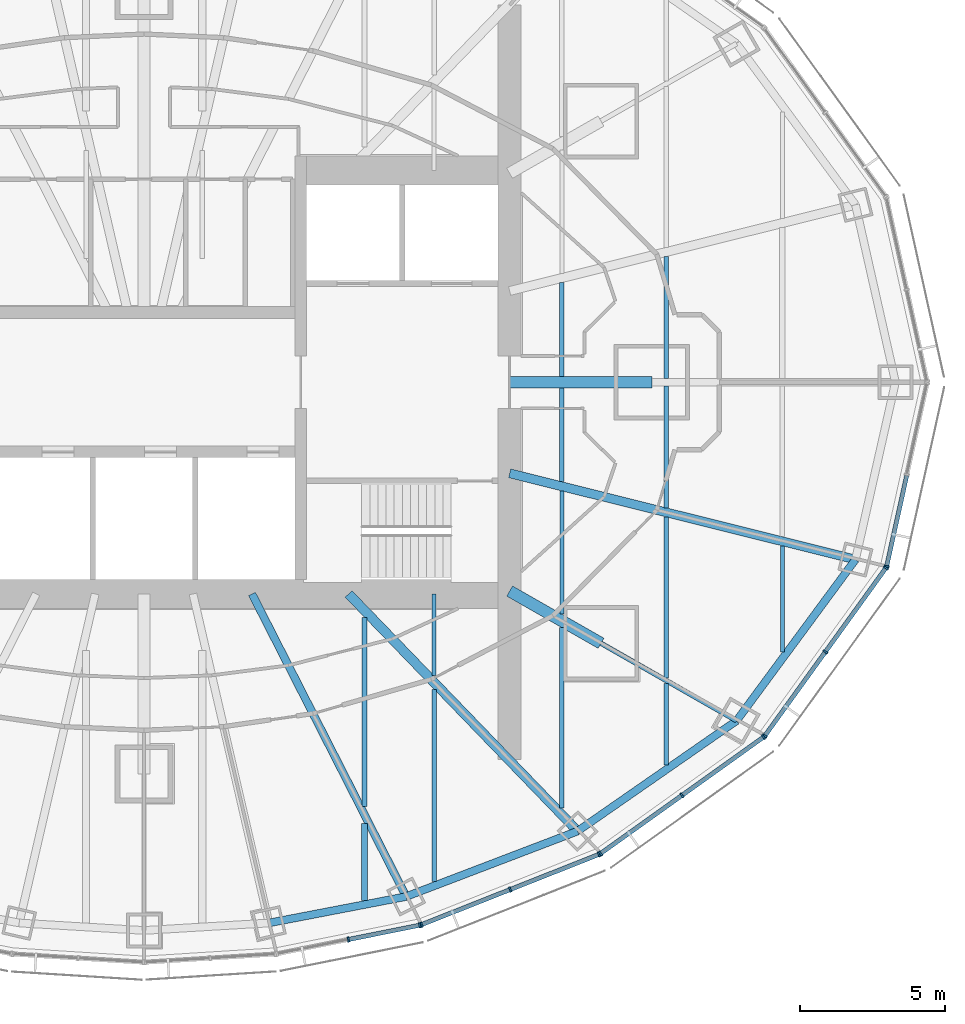
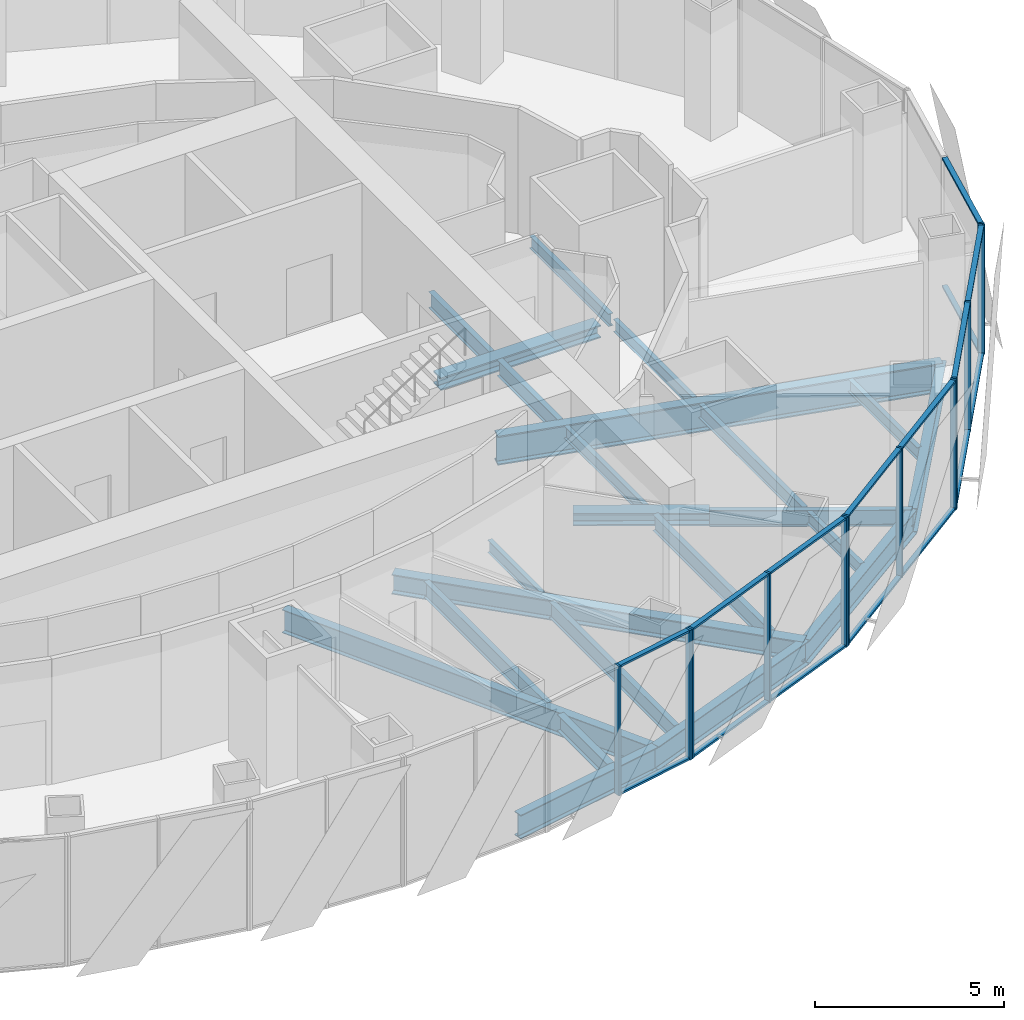
# One storey, part 6 of 17: 28 members, 23 beams, 5 elements without a shape of their own.
"""IFC4 building model written with IfcOpenShell, lengths in metres."""

from ifc_helpers import new_model, si_unit, direction, frame, origin, origin_2d, place, context, subcontext, project, spatial, rectangle, i_section, extrude, material, material_profile, profile_set, type_object, element, aggregate, save


model = new_model("IFC4")

# Units and contexts
model_context = context("Model", 3, precision=1e-05, world=origin(), true_north=direction((0.0, 1.0)))
body_context = subcontext(model_context, "Body", "Model", "MODEL_VIEW")
ifc_project = project(units=[si_unit("LENGTHUNIT", "METRE"), si_unit("AREAUNIT", "SQUARE_METRE"), si_unit("VOLUMEUNIT", "CUBIC_METRE"), si_unit("PLANEANGLEUNIT", "RADIAN"), si_unit("MASSUNIT", "GRAM", prefix="KILO")], contexts=[model_context])

# Site, building, storey
site_placement = place(None, origin())
site = spatial("IfcSite", under=ifc_project, at=site_placement, CompositionType="ELEMENT")
building_placement = place(site_placement, origin())
building = spatial("IfcBuilding", under=site, at=building_placement, Name="Lantaw Convention Tower", CompositionType="ELEMENT")
storey_placement = place(building_placement, frame((0.0, 0.0, 220.0)))
storey = spatial("IfcBuildingStorey", under=building, at=storey_placement, Name="L51", CompositionType="ELEMENT", Elevation=220.0)

# Beams
ifc_material_1 = material(Name="Steel ASTM A992", Category="steel")
ifc_material_profile_1 = material_profile(ifc_material_1, i_section(OverallWidth=0.2666015625, OverallDepth=0.76953125, WebThickness=0.015625, FlangeThickness=0.025390625, FilletRadius=0.0126953125, at=origin_2d()), Name="W30X132")
ifc_profile_set_1 = profile_set([ifc_material_profile_1], Name="Steel ASTM A992")
beam_type_1 = type_object("IfcBeamType", Name="Beam E W30X132", PredefinedType="SPANDREL", material=ifc_profile_set_1)
beam_1_placement = place(storey_placement, frame((4.303955078125, -18.64208984375, -0.534912109375), z_axis=(0.981972091702, 0.189025953556, 0.0), x_axis=(-0.189025953556, 0.981972091702, 0.0)))
element("IfcBeam", 1, at=beam_1_placement, inside=storey, type_object=beam_type_1, Name="Edge beam 20", PredefinedType="SPANDREL", context=body_context, shape_type="SweptSolid", body=[
    extrude(i_section(OverallWidth=0.2666015625, OverallDepth=0.76953125, WebThickness=0.015625, FlangeThickness=0.025390625, FilletRadius=0.0126953125, at=origin_2d()), origin(), (0.0, 0.0, 1.0), 4.817626953125),
])
beam_2_placement = place(storey_placement, frame((9.03466796875, -17.7314453125, -0.534912109375), z_axis=(0.934234988, 0.356658081637, 0.0), x_axis=(-0.356658081637, 0.934234988, 0.0)))
element("IfcBeam", 2, at=beam_2_placement, inside=storey, type_object=beam_type_1, Name="Edge beam 21", PredefinedType="SPANDREL", context=body_context, shape_type="SweptSolid", body=[
    extrude(i_section(OverallWidth=0.2666015625, OverallDepth=0.76953125, WebThickness=0.015625, FlangeThickness=0.025390625, FilletRadius=0.0126953125, at=origin_2d()), origin(), (0.0, 0.0, 1.0), 6.32568359375),
])
beam_3_placement = place(storey_placement, frame((14.9443359375, -15.475341796875, -0.534912109375), z_axis=(0.82135329406, 0.570419815869, 0.0), x_axis=(-0.570419815869, 0.82135329406, 0.0)))
element("IfcBeam", 3, at=beam_3_placement, inside=storey, type_object=beam_type_1, Name="Edge beam 22", PredefinedType="SPANDREL", context=body_context, shape_type="SweptSolid", body=[
    extrude(i_section(OverallWidth=0.2666015625, OverallDepth=0.76953125, WebThickness=0.015625, FlangeThickness=0.025390625, FilletRadius=0.0126953125, at=origin_2d()), origin(), (0.0, 0.0, 1.0), 6.67041015625),
])
beam_4_placement = place(storey_placement, frame((20.423095703125, -11.67041015625, -0.534912109375), z_axis=(0.593639188853, 0.804731329984, 0.0), x_axis=(-0.804731329984, 0.593639188853, 0.0)))
element("IfcBeam", 4, at=beam_4_placement, inside=storey, type_object=beam_type_1, Name="Edge beam 23", PredefinedType="SPANDREL", context=body_context, shape_type="SweptSolid", body=[
    extrude(i_section(OverallWidth=0.2666015625, OverallDepth=0.76953125, WebThickness=0.015625, FlangeThickness=0.025390625, FilletRadius=0.0126953125, at=origin_2d()), origin(), (0.0, 0.0, 1.0), 6.904541015625),
])
ifc_material_profile_2 = material_profile(ifc_material_1, i_section(OverallWidth=0.165771484375, OverallDepth=0.5283203125, WebThickness=0.009765625, FlangeThickness=0.013671875, FilletRadius=0.012939453125, at=origin_2d()), Name="W21X50")
ifc_profile_set_2 = profile_set([ifc_material_profile_2], Name="Steel ASTM A992")
beam_type_2 = type_object("IfcBeamType", Name="Beam G W21X50", PredefinedType="BEAM", material=ifc_profile_set_2)
beam_5_placement = place(storey_placement, frame((15.75, -9.0, -0.4140625), z_axis=(0.868237559289, -0.496148708192, 0.0), x_axis=(0.496148708192, 0.868237559289, 0.0)))
element("IfcBeam", 5, at=beam_5_placement, inside=storey, type_object=beam_type_2, Name="Floor girder on ray 23", PredefinedType="BEAM", context=body_context, shape_type="SweptSolid", body=[
    extrude(i_section(OverallWidth=0.165771484375, OverallDepth=0.5283203125, WebThickness=0.009765625, FlangeThickness=0.013671875, FilletRadius=0.012939453125, at=origin_2d()), origin(), (0.0, 0.0, 1.0), 5.38232421875),
])
ifc_material_profile_3 = material_profile(ifc_material_1, i_section(OverallWidth=0.32763671875, OverallDepth=0.64013671875, WebThickness=0.01904296875, FlangeThickness=0.033935546875, FilletRadius=0.0126953125, at=origin_2d()), Name="W24X176")
ifc_profile_set_3 = profile_set([ifc_material_profile_3], Name="Steel ASTM A992")
beam_type_3 = type_object("IfcBeamType", Name="Beam G W24X176", PredefinedType="BEAM", material=ifc_profile_set_3)
beam_6_placement = place(storey_placement, frame((7.049560546875, -7.300048828125, -0.469970703125), z_axis=(0.694657766726, -0.719340383356, 0.0), x_axis=(0.719340383356, 0.694657766726, 0.0)))
element("IfcBeam", 6, at=beam_6_placement, inside=storey, type_object=beam_type_3, Name="Floor girder on ray 22", PredefinedType="BEAM", context=body_context, shape_type="SweptSolid", body=[
    extrude(i_section(OverallWidth=0.32763671875, OverallDepth=0.64013671875, WebThickness=0.01904296875, FlangeThickness=0.033935546875, FilletRadius=0.0126953125, at=origin_2d()), origin(), (0.0, 0.0, 1.0), 11.364990234375),
])
ifc_material_profile_4 = material_profile(ifc_material_1, i_section(OverallWidth=0.2666015625, OverallDepth=0.7568359375, WebThickness=0.013916015625, FlangeThickness=0.019287109375, FilletRadius=0.0126953125, at=origin_2d()), Name="W30X108")
ifc_profile_set_4 = profile_set([ifc_material_profile_4], Name="Steel ASTM A992")
beam_type_4 = type_object("IfcBeamType", Name="Beam G W30X108", PredefinedType="BEAM", material=ifc_profile_set_4)
beam_7_placement = place(storey_placement, frame((3.719482421875, -7.300048828125, -0.528564453125), z_axis=(0.4539988787, -0.891002254845, 0.0), x_axis=(0.891002254845, 0.4539988787, 0.0)))
element("IfcBeam", 7, at=beam_7_placement, inside=storey, type_object=beam_type_4, Name="Floor girder on ray 21", PredefinedType="BEAM", context=body_context, shape_type="SweptSolid", body=[
    extrude(i_section(OverallWidth=0.2666015625, OverallDepth=0.7568359375, WebThickness=0.013916015625, FlangeThickness=0.019287109375, FilletRadius=0.0126953125, at=origin_2d()), origin(), (0.0, 0.0, 1.0), 11.70751953125),
])
ifc_material_profile_5 = material_profile(ifc_material_1, i_section(OverallWidth=0.307373046875, OverallDepth=0.9423828125, WebThickness=0.022216796875, FlangeThickness=0.039794921875, FilletRadius=0.0126953125, at=origin_2d()), Name="W36X232")
ifc_profile_set_5 = profile_set([ifc_material_profile_5], Name="Steel ASTM A992")
beam_type_5 = type_object("IfcBeamType", Name="Beam G W36X232", PredefinedType="BEAM", material=ifc_profile_set_5)
beam_8_placement = place(storey_placement, frame((12.60009765625, -3.1416015625, -0.62109375), z_axis=(0.970296589314, -0.241918434119, 0.0), x_axis=(0.241918434119, 0.970296589314, 0.0)))
element("IfcBeam", 8, at=beam_8_placement, inside=storey, type_object=beam_type_5, Name="Floor girder on ray 24", PredefinedType="BEAM", context=body_context, shape_type="SweptSolid", body=[
    extrude(i_section(OverallWidth=0.307373046875, OverallDepth=0.9423828125, WebThickness=0.022216796875, FlangeThickness=0.039794921875, FilletRadius=0.0126953125, at=origin_2d()), origin(), (0.0, 0.0, 1.0), 12.286865234375),
])
ifc_material_profile_6 = material_profile(ifc_material_1, i_section(OverallWidth=0.40380859375, OverallDepth=0.406494140625, WebThickness=0.027099609375, FlangeThickness=0.043701171875, FilletRadius=0.01513671875, at=origin_2d()), Name="W14X233")
ifc_profile_set_6 = profile_set([ifc_material_profile_6], Name="Steel ASTM A992")
beam_type_6 = type_object("IfcBeamType", Name="Beam GM W14X233", PredefinedType="BEAM", material=ifc_profile_set_6)
beam_9_placement = place(storey_placement, frame((12.60009765625, 0.0, -0.353271484375), z_axis=(1.0, 0.0, 0.0), x_axis=(0.0, 1.0, 0.0)))
element("IfcBeam", 9, at=beam_9_placement, inside=storey, type_object=beam_type_6, Name="Core link beam on ray 1", PredefinedType="BEAM", context=body_context, shape_type="SweptSolid", body=[
    extrude(i_section(OverallWidth=0.40380859375, OverallDepth=0.406494140625, WebThickness=0.027099609375, FlangeThickness=0.043701171875, FilletRadius=0.01513671875, at=origin_2d()), origin(), (0.0, 0.0, 1.0), 4.89990234375),
])
beam_10_placement = place(storey_placement, frame((12.60009765625, -7.199951171875, -0.353271484375), z_axis=(0.868230718294, -0.496160679428, 0.0), x_axis=(0.496160679428, 0.868230718294, 0.0)))
element("IfcBeam", 10, at=beam_10_placement, inside=storey, type_object=beam_type_6, Name="Core link beam on ray 23", PredefinedType="BEAM", context=body_context, shape_type="SweptSolid", body=[
    extrude(i_section(OverallWidth=0.40380859375, OverallDepth=0.406494140625, WebThickness=0.027099609375, FlangeThickness=0.043701171875, FilletRadius=0.01513671875, at=origin_2d()), origin(), (0.0, 0.0, 1.0), 3.6279296875),
])
ifc_material_profile_7 = material_profile(ifc_material_1, i_section(OverallWidth=0.140380859375, OverallDepth=0.40380859375, WebThickness=0.007080078125, FlangeThickness=0.01123046875, FilletRadius=0.01025390625, at=origin_2d()), Name="W16X31")
ifc_profile_set_7 = profile_set([ifc_material_profile_7], Name="Steel ASTM A992")
beam_type_7 = type_object("IfcBeamType", Name="Beam J W16X31", PredefinedType="JOIST", material=ifc_profile_set_7)
beam_11_placement = place(storey_placement, frame((10.0, -10.119384765625, -0.35205078125), z_axis=(0.0, 1.0, 0.0), x_axis=(-1.0, 0.0, 0.0)))
element("IfcBeam", 11, at=beam_11_placement, inside=storey, type_object=beam_type_7, Name="Floor joist", PredefinedType="JOIST", context=body_context, shape_type="SweptSolid", body=[
    extrude(i_section(OverallWidth=0.140380859375, OverallDepth=0.40380859375, WebThickness=0.007080078125, FlangeThickness=0.01123046875, FilletRadius=0.01025390625, at=origin_2d()), origin(), (0.0, 0.0, 1.0), 2.8193359375),
])
beam_12_placement = place(storey_placement, frame((14.39990234375, -7.99609375, -0.35205078125), z_axis=(0.0, 1.0, 0.0), x_axis=(-1.0, 0.0, 0.0)))
element("IfcBeam", 12, at=beam_12_placement, inside=storey, type_object=beam_type_7, Name="Floor joist", PredefinedType="JOIST", context=body_context, shape_type="SweptSolid", body=[
    extrude(i_section(OverallWidth=0.140380859375, OverallDepth=0.40380859375, WebThickness=0.007080078125, FlangeThickness=0.01123046875, FilletRadius=0.01025390625, at=origin_2d()), origin(), (0.0, 0.0, 1.0), 4.247314453125),
])
beam_13_placement = place(storey_placement, frame((18.0, -13.19091796875, -0.35205078125), z_axis=(0.0, 1.0, 0.0), x_axis=(-1.0, 0.0, 0.0)))
element("IfcBeam", 13, at=beam_13_placement, inside=storey, type_object=beam_type_7, Name="Floor joist", PredefinedType="JOIST", context=body_context, shape_type="SweptSolid", body=[
    extrude(i_section(OverallWidth=0.140380859375, OverallDepth=0.40380859375, WebThickness=0.007080078125, FlangeThickness=0.01123046875, FilletRadius=0.01025390625, at=origin_2d()), origin(), (0.0, 0.0, 1.0), 2.8095703125),
])
for number, where, z_axis, x_axis, name in (
    (14, (18.0, -4.32958984375, -0.35205078125), (0.0, 1.0, 0.0), (-1.0, 0.0, 0.0), "Floor joist"),
    (15, (18.0, 0.126953125, -0.35205078125), (0.0, 1.0, 0.0), (-1.0, 0.0, 0.0), "Floor joist"),
):
    element("IfcBeam", number, at=place(storey_placement, frame(where, z_axis=z_axis, x_axis=x_axis)), inside=storey, type_object=beam_type_7, Name=name, PredefinedType="JOIST", context=body_context, shape_type="SweptSolid", body=[
        extrude(i_section(OverallWidth=0.140380859375, OverallDepth=0.40380859375, WebThickness=0.007080078125, FlangeThickness=0.01123046875, FilletRadius=0.01025390625, at=origin_2d()), origin(), (0.0, 0.0, 1.0), 4.20263671875),
    ])
beam_14_placement = place(storey_placement, frame((22.0, -9.30810546875, -0.35205078125), z_axis=(0.0, 1.0, 0.0), x_axis=(-1.0, 0.0, 0.0)))
element("IfcBeam", 16, at=beam_14_placement, inside=storey, type_object=beam_type_7, Name="Floor joist", PredefinedType="JOIST", context=body_context, shape_type="SweptSolid", body=[
    extrude(i_section(OverallWidth=0.140380859375, OverallDepth=0.40380859375, WebThickness=0.007080078125, FlangeThickness=0.01123046875, FilletRadius=0.01025390625, at=origin_2d()), origin(), (0.0, 0.0, 1.0), 3.66455078125),
])
ifc_material_profile_8 = material_profile(ifc_material_1, i_section(OverallWidth=0.15234375, OverallDepth=0.449462890625, WebThickness=0.007568359375, FlangeThickness=0.0107421875, FilletRadius=0.01025390625, at=origin_2d()), Name="W18X35")
ifc_profile_set_8 = profile_set([ifc_material_profile_8], Name="Steel ASTM A992")
beam_type_8 = type_object("IfcBeamType", Name="Beam J W18X35", PredefinedType="JOIST", material=ifc_profile_set_8)
beam_15_placement = place(storey_placement, frame((18.0, -10.190185546875, -0.374755859375), z_axis=(0.0, 1.0, 0.0), x_axis=(-1.0, 0.0, 0.0)))
element("IfcBeam", 17, at=beam_15_placement, inside=storey, type_object=beam_type_8, Name="Floor joist", PredefinedType="JOIST", context=body_context, shape_type="SweptSolid", body=[
    extrude(i_section(OverallWidth=0.15234375, OverallDepth=0.449462890625, WebThickness=0.007568359375, FlangeThickness=0.0107421875, FilletRadius=0.01025390625, at=origin_2d()), origin(), (0.0, 0.0, 1.0), 5.5439453125),
])
ifc_material_profile_9 = material_profile(ifc_material_1, i_section(OverallWidth=0.1650390625, OverallDepth=0.52587890625, WebThickness=0.0087890625, FlangeThickness=0.011474609375, FilletRadius=0.0126953125, at=origin_2d()), Name="W21X44")
ifc_profile_set_9 = profile_set([ifc_material_profile_9], Name="Steel ASTM A992")
beam_type_9 = type_object("IfcBeamType", Name="Beam J W21X44", PredefinedType="JOIST", material=ifc_profile_set_9)
beam_16_placement = place(storey_placement, frame((7.60009765625, -14.6220703125, -0.412841796875), z_axis=(0.0, 1.0, 0.0), x_axis=(-1.0, 0.0, 0.0)))
element("IfcBeam", 18, at=beam_16_placement, inside=storey, type_object=beam_type_9, Name="Floor joist", PredefinedType="JOIST", context=body_context, shape_type="SweptSolid", body=[
    extrude(i_section(OverallWidth=0.1650390625, OverallDepth=0.52587890625, WebThickness=0.0087890625, FlangeThickness=0.011474609375, FilletRadius=0.0126953125, at=origin_2d()), origin(), (0.0, 0.0, 1.0), 6.51611328125),
])
beam_17_placement = place(storey_placement, frame((10.0, -17.22021484375, -0.412841796875), z_axis=(0.0, 1.0, 0.0), x_axis=(-1.0, 0.0, 0.0)))
element("IfcBeam", 19, at=beam_17_placement, inside=storey, type_object=beam_type_9, Name="Floor joist", PredefinedType="JOIST", context=body_context, shape_type="SweptSolid", body=[
    extrude(i_section(OverallWidth=0.1650390625, OverallDepth=0.52587890625, WebThickness=0.0087890625, FlangeThickness=0.011474609375, FilletRadius=0.0126953125, at=origin_2d()), origin(), (0.0, 0.0, 1.0), 6.629150390625),
])
beam_18_placement = place(storey_placement, frame((14.39990234375, -14.67578125, -0.412841796875), z_axis=(0.0, 1.0, 0.0), x_axis=(-1.0, 0.0, 0.0)))
element("IfcBeam", 20, at=beam_18_placement, inside=storey, type_object=beam_type_9, Name="Floor joist", PredefinedType="JOIST", context=body_context, shape_type="SweptSolid", body=[
    extrude(i_section(OverallWidth=0.1650390625, OverallDepth=0.52587890625, WebThickness=0.0087890625, FlangeThickness=0.011474609375, FilletRadius=0.0126953125, at=origin_2d()), origin(), (0.0, 0.0, 1.0), 6.214599609375),
])
for number, where, z_axis, x_axis, name in (
    (21, (14.39990234375, -3.431884765625, -0.412841796875), (0.0, 1.0, 0.0), (-1.0, 0.0, 0.0), "Floor joist"),
    (22, (14.39990234375, 0.201904296875, -0.412841796875), (0.0, 1.0, 0.0), (-1.0, 0.0, 0.0), "Floor joist"),
):
    element("IfcBeam", number, at=place(storey_placement, frame(where, z_axis=z_axis, x_axis=x_axis)), inside=storey, type_object=beam_type_9, Name=name, PredefinedType="JOIST", context=body_context, shape_type="SweptSolid", body=[
        extrude(i_section(OverallWidth=0.1650390625, OverallDepth=0.52587890625, WebThickness=0.0087890625, FlangeThickness=0.011474609375, FilletRadius=0.0126953125, at=origin_2d()), origin(), (0.0, 0.0, 1.0), 3.22998046875),
    ])
ifc_material_profile_10 = material_profile(ifc_material_1, i_section(OverallWidth=0.2099609375, OverallDepth=0.535888671875, WebThickness=0.010986328125, FlangeThickness=0.017333984375, FilletRadius=0.012939453125, at=origin_2d()), Name="W21X68")
ifc_profile_set_10 = profile_set([ifc_material_profile_10], Name="Steel ASTM A992")
beam_type_10 = type_object("IfcBeamType", Name="Beam J W21X68", PredefinedType="JOIST", material=ifc_profile_set_10)
beam_19_placement = place(storey_placement, frame((7.60009765625, -17.871826171875, -0.41796875), z_axis=(0.0, 1.0, 0.0), x_axis=(-1.0, 0.0, 0.0)))
element("IfcBeam", 23, at=beam_19_placement, inside=storey, type_object=beam_type_10, Name="Floor joist", PredefinedType="JOIST", context=body_context, shape_type="SweptSolid", body=[
    extrude(i_section(OverallWidth=0.2099609375, OverallDepth=0.535888671875, WebThickness=0.010986328125, FlangeThickness=0.017333984375, FilletRadius=0.012939453125, at=origin_2d()), origin(), (0.0, 0.0, 1.0), 2.662353515625),
])

# Curtain wall, members
ifc_material_2 = material(Name="Aluminium framed curtain wall", Category="aluminium")
curtain_wall_type = type_object("IfcCurtainWallType", Name="Office curtain wall high rise, pale aluminium", PredefinedType="USERDEFINED", material=ifc_material_2)
curtain_wall_1_placement = place(storey_placement, origin())
curtain_wall_1 = element("IfcCurtainWall", 24, at=curtain_wall_1_placement, inside=storey, type_object=curtain_wall_type, Name="Office curtain wall high rise, pale aluminium L51", ObjectType="UNITISED CURTAIN WALL", PredefinedType="USERDEFINED")
ifc_material_3 = material(Name="Aluminium 6063-T6", Category="aluminium")
ifc_material_profile_11 = material_profile(ifc_material_3, rectangle(XDim=0.179931640625, YDim=0.06494140625, at=origin_2d()), Name="CW-O2 mullion 65x180")
ifc_profile_set_11 = profile_set([ifc_material_profile_11], Name="Aluminium 6063-T6")
member_type_1 = type_object("IfcMemberType", Name="CW-O2 mullion 65x180", PredefinedType="MULLION", material=ifc_profile_set_11)
member_1_placement = place(storey_placement, frame((7.042724609375, -19.212646484375, -0.14990234375), z_axis=(0.0, 0.0, 1.0), x_axis=(-0.197183095987, 0.980366679695, 0.0)))
member_1 = element("IfcMember", 25, at=member_1_placement, type_object=member_type_1, Name="CW-O2 mullion 2", PredefinedType="MULLION", context=body_context, shape_type="SweptSolid", body=[
    extrude(rectangle(XDim=0.179931640625, YDim=0.06494140625, at=origin_2d()), origin(), (0.0, 0.0, 1.0), 4.199951171875),
])
member_2_placement = place(storey_placement, frame((9.502197265625, -18.718017578125, -0.14990234375), z_axis=(0.0, 0.0, 1.0), x_axis=(-0.197183095987, 0.980366679695, 0.0)))
member_2 = element("IfcMember", 26, at=member_2_placement, type_object=member_type_1, Name="CW-O2 mullion 3", PredefinedType="MULLION", context=body_context, shape_type="SweptSolid", body=[
    extrude(rectangle(XDim=0.179931640625, YDim=0.06494140625, at=origin_2d()), origin(), (0.0, 0.0, 1.0), 4.199951171875),
])

curtain_wall_2_placement = place(storey_placement, origin())
curtain_wall_2 = element("IfcCurtainWall", 27, at=curtain_wall_2_placement, inside=storey, type_object=curtain_wall_type, Name="Office curtain wall high rise, pale aluminium L51", ObjectType="UNITISED CURTAIN WALL", PredefinedType="USERDEFINED")
member_3_placement = place(storey_placement, frame((9.564208984375, -18.69970703125, -0.14990234375), z_axis=(0.0, 0.0, 1.0), x_axis=(-0.368162315252, 0.929761533743, 0.0)))
member_3 = element("IfcMember", 28, at=member_3_placement, type_object=member_type_1, Name="CW-O2 mullion 1", PredefinedType="MULLION", context=body_context, shape_type="SweptSolid", body=[
    extrude(rectangle(XDim=0.179931640625, YDim=0.06494140625, at=origin_2d()), origin(), (0.0, 0.0, 1.0), 4.199951171875),
])
member_4_placement = place(storey_placement, frame((12.621337890625, -17.4892578125, -0.14990234375), z_axis=(0.0, 0.0, 1.0), x_axis=(-0.368162315252, 0.929761533743, 0.0)))
member_4 = element("IfcMember", 29, at=member_4_placement, type_object=member_type_1, Name="CW-O2 mullion 2", PredefinedType="MULLION", context=body_context, shape_type="SweptSolid", body=[
    extrude(rectangle(XDim=0.179931640625, YDim=0.06494140625, at=origin_2d()), origin(), (0.0, 0.0, 1.0), 4.199951171875),
])
member_5_placement = place(storey_placement, frame((15.67822265625, -16.278564453125, -0.14990234375), z_axis=(0.0, 0.0, 1.0), x_axis=(-0.368162315252, 0.929761533743, 0.0)))
member_5 = element("IfcMember", 30, at=member_5_placement, type_object=member_type_1, Name="CW-O2 mullion 3", PredefinedType="MULLION", context=body_context, shape_type="SweptSolid", body=[
    extrude(rectangle(XDim=0.179931640625, YDim=0.06494140625, at=origin_2d()), origin(), (0.0, 0.0, 1.0), 4.199951171875),
])

curtain_wall_3_placement = place(storey_placement, origin())
curtain_wall_3 = element("IfcCurtainWall", 31, at=curtain_wall_3_placement, inside=storey, type_object=curtain_wall_type, Name="Office curtain wall high rise, pale aluminium L51", ObjectType="UNITISED CURTAIN WALL", PredefinedType="USERDEFINED")
member_6_placement = place(storey_placement, frame((15.73486328125, -16.247802734375, -0.14990234375), z_axis=(0.0, 0.0, 1.0), x_axis=(-0.581323487281, 0.813672540482, 0.0)))
member_6 = element("IfcMember", 32, at=member_6_placement, type_object=member_type_1, Name="CW-O2 mullion 1", PredefinedType="MULLION", context=body_context, shape_type="SweptSolid", body=[
    extrude(rectangle(XDim=0.179931640625, YDim=0.06494140625, at=origin_2d()), origin(), (0.0, 0.0, 1.0), 4.199951171875),
])
member_7_placement = place(storey_placement, frame((18.543212890625, -14.241455078125, -0.14990234375), z_axis=(0.0, 0.0, 1.0), x_axis=(-0.581323487281, 0.813672540482, 0.0)))
member_7 = element("IfcMember", 33, at=member_7_placement, type_object=member_type_1, Name="CW-O2 mullion 2", PredefinedType="MULLION", context=body_context, shape_type="SweptSolid", body=[
    extrude(rectangle(XDim=0.179931640625, YDim=0.06494140625, at=origin_2d()), origin(), (0.0, 0.0, 1.0), 4.199951171875),
])
member_8_placement = place(storey_placement, frame((21.3515625, -12.23486328125, -0.14990234375), z_axis=(0.0, 0.0, 1.0), x_axis=(-0.581323487281, 0.813672540482, 0.0)))
member_8 = element("IfcMember", 34, at=member_8_placement, type_object=member_type_1, Name="CW-O2 mullion 3", PredefinedType="MULLION", context=body_context, shape_type="SweptSolid", body=[
    extrude(rectangle(XDim=0.179931640625, YDim=0.06494140625, at=origin_2d()), origin(), (0.0, 0.0, 1.0), 4.199951171875),
])

curtain_wall_4_placement = place(storey_placement, origin())
curtain_wall_4 = element("IfcCurtainWall", 35, at=curtain_wall_4_placement, inside=storey, type_object=curtain_wall_type, Name="Office curtain wall high rise, pale aluminium L51", ObjectType="UNITISED CURTAIN WALL", PredefinedType="USERDEFINED")
member_9_placement = place(storey_placement, frame((21.397216796875, -12.189697265625, -0.14990234375), z_axis=(0.0, 0.0, 1.0), x_axis=(-0.810919559405, 0.585157643865, 0.0)))
member_9 = element("IfcMember", 36, at=member_9_placement, type_object=member_type_1, Name="CW-O2 mullion 1", PredefinedType="MULLION", context=body_context, shape_type="SweptSolid", body=[
    extrude(rectangle(XDim=0.179931640625, YDim=0.06494140625, at=origin_2d()), origin(), (0.0, 0.0, 1.0), 4.199951171875),
])
member_10_placement = place(storey_placement, frame((23.483642578125, -9.298095703125, -0.14990234375), z_axis=(0.0, 0.0, 1.0), x_axis=(-0.810919559405, 0.585157643865, 0.0)))
member_10 = element("IfcMember", 37, at=member_10_placement, type_object=member_type_1, Name="CW-O2 mullion 2", PredefinedType="MULLION", context=body_context, shape_type="SweptSolid", body=[
    extrude(rectangle(XDim=0.179931640625, YDim=0.06494140625, at=origin_2d()), origin(), (0.0, 0.0, 1.0), 4.199951171875),
])
member_11_placement = place(storey_placement, frame((25.5703125, -6.406494140625, -0.14990234375), z_axis=(0.0, 0.0, 1.0), x_axis=(-0.810919559405, 0.585157643865, 0.0)))
member_11 = element("IfcMember", 38, at=member_11_placement, type_object=member_type_1, Name="CW-O2 mullion 3", PredefinedType="MULLION", context=body_context, shape_type="SweptSolid", body=[
    extrude(rectangle(XDim=0.179931640625, YDim=0.06494140625, at=origin_2d()), origin(), (0.0, 0.0, 1.0), 4.199951171875),
])

# Curtain wall, member
curtain_wall_5_placement = place(storey_placement, origin())
curtain_wall_5 = element("IfcCurtainWall", 39, at=curtain_wall_5_placement, inside=storey, type_object=curtain_wall_type, Name="Office curtain wall high rise, pale aluminium L51", ObjectType="UNITISED CURTAIN WALL", PredefinedType="USERDEFINED")
member_12_placement = place(storey_placement, frame((25.596435546875, -6.348388671875, -0.14990234375), z_axis=(0.0, 0.0, 1.0), x_axis=(-0.976417396437, 0.215891333626, 0.0)))
member_12 = element("IfcMember", 40, at=member_12_placement, type_object=member_type_1, Name="CW-O2 mullion 1", PredefinedType="MULLION", context=body_context, shape_type="SweptSolid", body=[
    extrude(rectangle(XDim=0.179931640625, YDim=0.06494140625, at=origin_2d()), origin(), (0.0, 0.0, 1.0), 4.199951171875),
])

# Member
ifc_material_profile_12 = material_profile(ifc_material_3, rectangle(XDim=0.14990234375, YDim=0.06494140625, at=origin_2d()), Name="CW-O2 transom 65x150")
ifc_profile_set_12 = profile_set([ifc_material_profile_12], Name="Aluminium 6063-T6")
member_type_2 = type_object("IfcMemberType", Name="CW-O2 transom 65x150", PredefinedType="USERDEFINED", material=ifc_profile_set_12)
member_13_placement = place(storey_placement, frame((7.074462890625, -19.206298828125, -0.117431640625), z_axis=(0.98036104319, 0.197211117829, 0.0), x_axis=(-0.197211117829, 0.98036104319, 0.0)))
member_13 = element("IfcMember", 41, at=member_13_placement, type_object=member_type_2, Name="CW-O2 transom 2.1", ObjectType="TRANSOM", PredefinedType="USERDEFINED", context=body_context, shape_type="SweptSolid", body=[
    extrude(rectangle(XDim=0.14990234375, YDim=0.06494140625, at=origin_2d()), origin(), (0.0, 0.0, 1.0), 2.44384765625),
])

member_14_placement = place(storey_placement, frame((7.074462890625, -19.206298828125, 4.017578125), z_axis=(0.98036104319, 0.197211117829, 0.0), x_axis=(-0.197211117829, 0.98036104319, 0.0)))
member_14 = element("IfcMember", 42, at=member_14_placement, type_object=member_type_2, Name="CW-O2 transom 2.2", ObjectType="TRANSOM", PredefinedType="USERDEFINED", context=body_context, shape_type="SweptSolid", body=[
    extrude(rectangle(XDim=0.14990234375, YDim=0.06494140625, at=origin_2d()), origin(), (0.0, 0.0, 1.0), 2.44384765625),
])

aggregate(curtain_wall_1, [member_1, member_2, member_13, member_14])

member_15_placement = place(storey_placement, frame((9.594482421875, -18.687744140625, -0.117431640625), z_axis=(0.929766642946, 0.368149412149, 0.0), x_axis=(-0.368149412149, 0.929766642946, 0.0)))
member_15 = element("IfcMember", 43, at=member_15_placement, type_object=member_type_2, Name="CW-O2 transom 1.1", ObjectType="TRANSOM", PredefinedType="USERDEFINED", context=body_context, shape_type="SweptSolid", body=[
    extrude(rectangle(XDim=0.14990234375, YDim=0.06494140625, at=origin_2d()), origin(), (0.0, 0.0, 1.0), 3.222900390625),
])

member_16_placement = place(storey_placement, frame((9.594482421875, -18.687744140625, 4.017578125), z_axis=(0.929766642946, 0.368149412149, 0.0), x_axis=(-0.368149412149, 0.929766642946, 0.0)))
member_16 = element("IfcMember", 44, at=member_16_placement, type_object=member_type_2, Name="CW-O2 transom 1.2", ObjectType="TRANSOM", PredefinedType="USERDEFINED", context=body_context, shape_type="SweptSolid", body=[
    extrude(rectangle(XDim=0.14990234375, YDim=0.06494140625, at=origin_2d()), origin(), (0.0, 0.0, 1.0), 3.222900390625),
])

member_17_placement = place(storey_placement, frame((12.651611328125, -17.477294921875, -0.117431640625), z_axis=(0.929740712354, 0.368214893495, 0.0), x_axis=(-0.368214893495, 0.929740712354, 0.0)))
member_17 = element("IfcMember", 45, at=member_17_placement, type_object=member_type_2, Name="CW-O2 transom 2.1", ObjectType="TRANSOM", PredefinedType="USERDEFINED", context=body_context, shape_type="SweptSolid", body=[
    extrude(rectangle(XDim=0.14990234375, YDim=0.06494140625, at=origin_2d()), origin(), (0.0, 0.0, 1.0), 3.22314453125),
])

member_18_placement = place(storey_placement, frame((12.651611328125, -17.477294921875, 4.017578125), z_axis=(0.929740712354, 0.368214893495, 0.0), x_axis=(-0.368214893495, 0.929740712354, 0.0)))
member_18 = element("IfcMember", 46, at=member_18_placement, type_object=member_type_2, Name="CW-O2 transom 2.2", ObjectType="TRANSOM", PredefinedType="USERDEFINED", context=body_context, shape_type="SweptSolid", body=[
    extrude(rectangle(XDim=0.14990234375, YDim=0.06494140625, at=origin_2d()), origin(), (0.0, 0.0, 1.0), 3.22314453125),
])

aggregate(curtain_wall_2, [member_3, member_4, member_5, member_15, member_16, member_17, member_18])

member_19_placement = place(storey_placement, frame((15.761474609375, -16.22900390625, -0.117431640625), z_axis=(0.813645780821, 0.581360940683, 0.0), x_axis=(-0.581360940683, 0.813645780821, 0.0)))
member_19 = element("IfcMember", 47, at=member_19_placement, type_object=member_type_2, Name="CW-O2 transom 1.1", ObjectType="TRANSOM", PredefinedType="USERDEFINED", context=body_context, shape_type="SweptSolid", body=[
    extrude(rectangle(XDim=0.14990234375, YDim=0.06494140625, at=origin_2d()), origin(), (0.0, 0.0, 1.0), 3.386474609375),
])

member_20_placement = place(storey_placement, frame((15.761474609375, -16.22900390625, 4.017578125), z_axis=(0.813645780821, 0.581360940683, 0.0), x_axis=(-0.581360940683, 0.813645780821, 0.0)))
member_20 = element("IfcMember", 48, at=member_20_placement, type_object=member_type_2, Name="CW-O2 transom 1.2", ObjectType="TRANSOM", PredefinedType="USERDEFINED", context=body_context, shape_type="SweptSolid", body=[
    extrude(rectangle(XDim=0.14990234375, YDim=0.06494140625, at=origin_2d()), origin(), (0.0, 0.0, 1.0), 3.386474609375),
])

member_21_placement = place(storey_placement, frame((18.56982421875, -14.222412109375, -0.117431640625), z_axis=(0.813679882592, 0.581313210468, 0.0), x_axis=(-0.581313210468, 0.813679882592, 0.0)))
member_21 = element("IfcMember", 49, at=member_21_placement, type_object=member_type_2, Name="CW-O2 transom 2.1", ObjectType="TRANSOM", PredefinedType="USERDEFINED", context=body_context, shape_type="SweptSolid", body=[
    extrude(rectangle(XDim=0.14990234375, YDim=0.06494140625, at=origin_2d()), origin(), (0.0, 0.0, 1.0), 3.38623046875),
])

member_22_placement = place(storey_placement, frame((18.56982421875, -14.222412109375, 4.017578125), z_axis=(0.813679882592, 0.581313210468, 0.0), x_axis=(-0.581313210468, 0.813679882592, 0.0)))
member_22 = element("IfcMember", 50, at=member_22_placement, type_object=member_type_2, Name="CW-O2 transom 2.2", ObjectType="TRANSOM", PredefinedType="USERDEFINED", context=body_context, shape_type="SweptSolid", body=[
    extrude(rectangle(XDim=0.14990234375, YDim=0.06494140625, at=origin_2d()), origin(), (0.0, 0.0, 1.0), 3.38623046875),
])

aggregate(curtain_wall_3, [member_6, member_7, member_8, member_19, member_20, member_21, member_22])

member_23_placement = place(storey_placement, frame((21.416259765625, -12.163330078125, -0.117431640625), z_axis=(0.585123825205, 0.810943961798, 0.0), x_axis=(-0.810943961798, 0.585123825205, 0.0)))
member_23 = element("IfcMember", 51, at=member_23_placement, type_object=member_type_2, Name="CW-O2 transom 1.1", ObjectType="TRANSOM", PredefinedType="USERDEFINED", context=body_context, shape_type="SweptSolid", body=[
    extrude(rectangle(XDim=0.14990234375, YDim=0.06494140625, at=origin_2d()), origin(), (0.0, 0.0, 1.0), 3.500732421875),
])

member_24_placement = place(storey_placement, frame((21.416259765625, -12.163330078125, 4.017578125), z_axis=(0.585123825205, 0.810943961798, 0.0), x_axis=(-0.810943961798, 0.585123825205, 0.0)))
member_24 = element("IfcMember", 52, at=member_24_placement, type_object=member_type_2, Name="CW-O2 transom 1.2", ObjectType="TRANSOM", PredefinedType="USERDEFINED", context=body_context, shape_type="SweptSolid", body=[
    extrude(rectangle(XDim=0.14990234375, YDim=0.06494140625, at=origin_2d()), origin(), (0.0, 0.0, 1.0), 3.500732421875),
])

member_25_placement = place(storey_placement, frame((23.502685546875, -9.271728515625, -0.117431640625), z_axis=(0.585169685931, 0.810910869743, 0.0), x_axis=(-0.810910869743, 0.585169685931, 0.0)))
member_25 = element("IfcMember", 53, at=member_25_placement, type_object=member_type_2, Name="CW-O2 transom 2.1", ObjectType="TRANSOM", PredefinedType="USERDEFINED", context=body_context, shape_type="SweptSolid", body=[
    extrude(rectangle(XDim=0.14990234375, YDim=0.06494140625, at=origin_2d()), origin(), (0.0, 0.0, 1.0), 3.500732421875),
])

member_26_placement = place(storey_placement, frame((23.502685546875, -9.271728515625, 4.017578125), z_axis=(0.585169685931, 0.810910869743, 0.0), x_axis=(-0.810910869743, 0.585169685931, 0.0)))
member_26 = element("IfcMember", 54, at=member_26_placement, type_object=member_type_2, Name="CW-O2 transom 2.2", ObjectType="TRANSOM", PredefinedType="USERDEFINED", context=body_context, shape_type="SweptSolid", body=[
    extrude(rectangle(XDim=0.14990234375, YDim=0.06494140625, at=origin_2d()), origin(), (0.0, 0.0, 1.0), 3.500732421875),
])

aggregate(curtain_wall_4, [member_9, member_10, member_11, member_23, member_24, member_25, member_26])

member_27_placement = place(storey_placement, frame((25.603271484375, -6.316650390625, -0.117431640625), z_axis=(0.215894607042, 0.976416672661, 0.0), x_axis=(-0.976416672661, 0.215894607042, 0.0)))
member_27 = element("IfcMember", 55, at=member_27_placement, type_object=member_type_2, Name="CW-O2 transom 1.1", ObjectType="TRANSOM", PredefinedType="USERDEFINED", context=body_context, shape_type="SweptSolid", body=[
    extrude(rectangle(XDim=0.14990234375, YDim=0.06494140625, at=origin_2d()), origin(), (0.0, 0.0, 1.0), 3.169677734375),
])

member_28_placement = place(storey_placement, frame((25.603271484375, -6.316650390625, 4.017578125), z_axis=(0.215894607042, 0.976416672661, 0.0), x_axis=(-0.976416672661, 0.215894607042, 0.0)))
member_28 = element("IfcMember", 56, at=member_28_placement, type_object=member_type_2, Name="CW-O2 transom 1.2", ObjectType="TRANSOM", PredefinedType="USERDEFINED", context=body_context, shape_type="SweptSolid", body=[
    extrude(rectangle(XDim=0.14990234375, YDim=0.06494140625, at=origin_2d()), origin(), (0.0, 0.0, 1.0), 3.169677734375),
])

aggregate(curtain_wall_5, [member_12, member_27, member_28])

save(model, "model.ifc")
